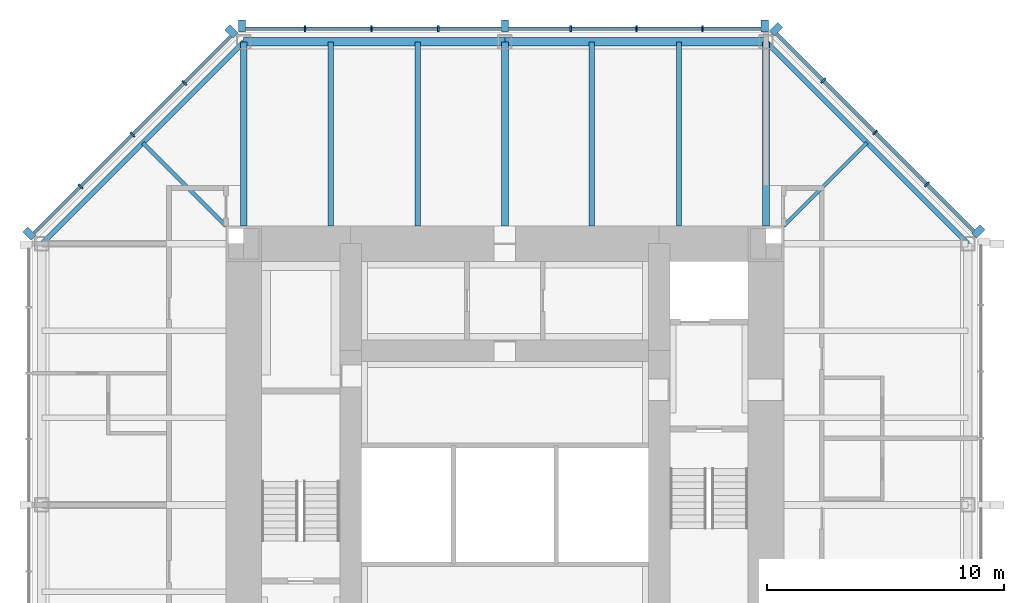
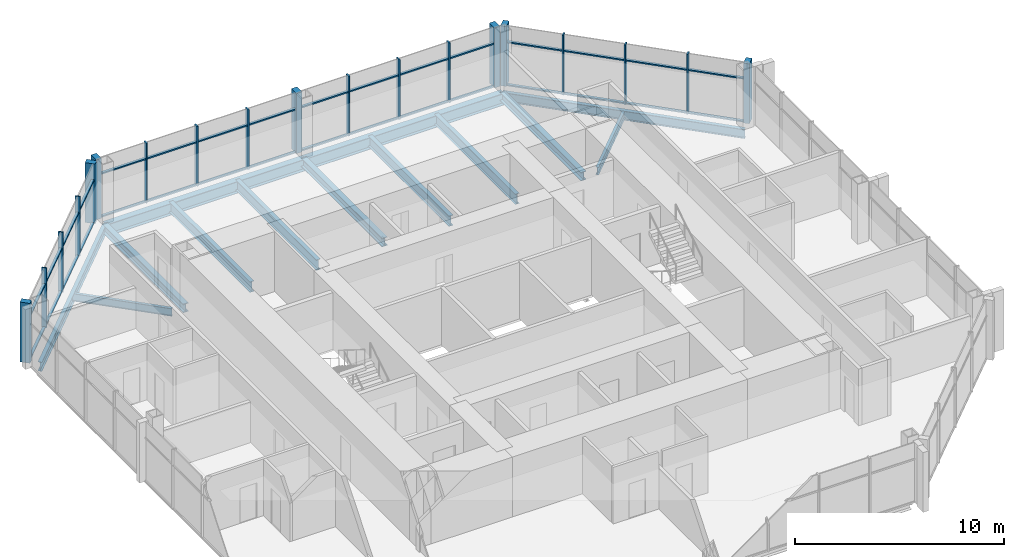
# One storey, part 5 of 11: 51 members, 13 beams, 3 elements without a shape of their own.
"""IFC4 building model written with IfcOpenShell, lengths in metres."""

from ifc_helpers import new_model, si_unit, direction, frame, origin, origin_2d, place, context, subcontext, project, spatial, rectangle, i_section, extrude, material, material_profile, profile_set, type_object, element, aggregate, save


model = new_model("IFC4")

# Units and contexts
model_context = context("Model", 3, precision=1e-05, world=origin(), true_north=direction((0.0, 1.0)))
body_context = subcontext(model_context, "Body", "Model", "MODEL_VIEW")
ifc_project = project(units=[si_unit("LENGTHUNIT", "METRE"), si_unit("AREAUNIT", "SQUARE_METRE"), si_unit("VOLUMEUNIT", "CUBIC_METRE"), si_unit("PLANEANGLEUNIT", "RADIAN"), si_unit("MASSUNIT", "GRAM", prefix="KILO")], contexts=[model_context])

# Site, building, storey
site_placement = place(None, origin())
site = spatial("IfcSite", under=ifc_project, at=site_placement, CompositionType="ELEMENT")
building_placement = place(site_placement, origin())
building = spatial("IfcBuilding", under=site, at=building_placement, Name="Trevanion Tower", CompositionType="ELEMENT")
storey_placement = place(building_placement, frame((0.0, 0.0, 253.699951171875)))
storey = spatial("IfcBuildingStorey", under=building, at=storey_placement, Name="L62", CompositionType="ELEMENT", Elevation=253.699951171875)

# Beams
ifc_material_1 = material(Name="Steel ASTM A992 Grade 50", Category="steel")
ifc_material_profile_1 = material_profile(ifc_material_1, i_section(OverallWidth=0.228271484375, OverallDepth=0.607177734375, WebThickness=0.01123046875, FlangeThickness=0.017333984375, at=origin_2d()), Name="W24X76")
ifc_profile_set_1 = profile_set([ifc_material_profile_1], Name="Steel ASTM A992 Grade 50")
beam_type_1 = type_object("IfcBeamType", Name="B11 W24X76", PredefinedType="BEAM", material=ifc_profile_set_1)
for number, where, z_axis, x_axis, name in (
    (1, (7.333251953125, 11.75, -0.493408203125), (0.0, 1.0, 0.0), (-1.0, 0.0, 0.0), "B11 L62"),
    (2, (3.666748046875, 11.75, -0.493408203125), (0.0, 1.0, 0.0), (-1.0, 0.0, 0.0), "B11 L62"),
    (3, (-3.666748046875, 11.75, -0.493408203125), (0.0, 1.0, 0.0), (-1.0, 0.0, 0.0), "B11 L62"),
    (4, (-7.333251953125, 11.75, -0.493408203125), (0.0, 1.0, 0.0), (-1.0, 0.0, 0.0), "B11 L62"),
):
    element("IfcBeam", number, at=place(storey_placement, frame(where, z_axis=z_axis, x_axis=x_axis)), inside=storey, type_object=beam_type_1, Name=name, PredefinedType="BEAM", context=body_context, shape_type="SweptSolid", body=[
        extrude(i_section(OverallWidth=0.228271484375, OverallDepth=0.607177734375, WebThickness=0.01123046875, FlangeThickness=0.017333984375, at=origin_2d()), origin(), (0.0, 0.0, 1.0), 7.75),
    ])
ifc_material_2 = material(Name="Steel ASTM A992 Grade 50", Category="steel")
ifc_material_profile_2 = material_profile(ifc_material_2, i_section(OverallWidth=0.15234375, OverallDepth=0.449462890625, WebThickness=0.007568359375, FlangeThickness=0.0107421875, at=origin_2d()), Name="W18X35")
ifc_profile_set_2 = profile_set([ifc_material_profile_2], Name="Steel ASTM A992 Grade 50")
beam_type_2 = type_object("IfcBeamType", Name="B12 W18X35", PredefinedType="BEAM", material=ifc_profile_set_2)
for number, where, z_axis, x_axis, name in (
    (5, (11.75, 11.75, -0.414794921875), (0.707106781187, 0.707106781187, 0.0), (-0.707106781187, 0.707106781187, 0.0), "B12 L62"),
    (6, (-11.75, 11.75, -0.414794921875), (-0.707106781187, 0.707106781187, 0.0), (-0.707106781187, -0.707106781187, 0.0), "B12 L62"),
):
    element("IfcBeam", number, at=place(storey_placement, frame(where, z_axis=z_axis, x_axis=x_axis)), inside=storey, type_object=beam_type_2, Name=name, PredefinedType="BEAM", context=body_context, shape_type="SweptSolid", body=[
        extrude(i_section(OverallWidth=0.15234375, OverallDepth=0.449462890625, WebThickness=0.007568359375, FlangeThickness=0.0107421875, at=origin_2d()), origin(), (0.0, 0.0, 1.0), 4.94970703125),
    ])

# Curtain wall, members
ifc_material_3 = material(Name="Aluminium and glass", Category="aluminium")
curtain_wall_type = type_object("IfcCurtainWallType", Name="CW3 curtain wall", PredefinedType="USERDEFINED", material=ifc_material_3)
curtain_wall_1_placement = place(storey_placement, origin())
curtain_wall_1 = element("IfcCurtainWall", 7, at=curtain_wall_1_placement, inside=storey, type_object=curtain_wall_type, Name="CW3 L62 1", ObjectType="UNITISED CURTAIN WALL", PredefinedType="USERDEFINED")
ifc_material_4 = material(Name="Aluminium extrusion, anodised bronze", Category="aluminium")
ifc_material_profile_3 = material_profile(ifc_material_4, rectangle(XDim=0.074951171875, YDim=0.25, at=origin_2d()), Name="CW3 mullion")
ifc_profile_set_3 = profile_set([ifc_material_profile_3], Name="Aluminium extrusion, anodised bronze")
member_type_1 = type_object("IfcMemberType", Name="CW3 mullion", PredefinedType="MULLION", material=ifc_profile_set_3)
member_1_placement = place(storey_placement, frame((17.775390625, 13.502197265625, -0.18994140625), z_axis=(0.0, 0.0, 1.0), x_axis=(-0.707106781187, 0.707106781187, 0.0)))
member_1 = element("IfcMember", 8, at=member_1_placement, type_object=member_type_1, Name="CW3 mullion 2", PredefinedType="MULLION", context=body_context, shape_type="SweptSolid", body=[
    extrude(rectangle(XDim=0.074951171875, YDim=0.25, at=origin_2d()), origin(), (0.0, 0.0, 1.0), 3.5),
])
member_2_placement = place(storey_placement, frame((15.593017578125, 15.684814453125, -0.18994140625), z_axis=(0.0, 0.0, 1.0), x_axis=(-0.707106781187, 0.707106781187, 0.0)))
member_2 = element("IfcMember", 9, at=member_2_placement, type_object=member_type_1, Name="CW3 mullion 3", PredefinedType="MULLION", context=body_context, shape_type="SweptSolid", body=[
    extrude(rectangle(XDim=0.074951171875, YDim=0.25, at=origin_2d()), origin(), (0.0, 0.0, 1.0), 3.5),
])
member_3_placement = place(storey_placement, frame((13.410400390625, 17.867431640625, -0.18994140625), z_axis=(0.0, 0.0, 1.0), x_axis=(-0.707106781187, 0.707106781187, 0.0)))
member_3 = element("IfcMember", 10, at=member_3_placement, type_object=member_type_1, Name="CW3 mullion 4", PredefinedType="MULLION", context=body_context, shape_type="SweptSolid", body=[
    extrude(rectangle(XDim=0.074951171875, YDim=0.25, at=origin_2d()), origin(), (0.0, 0.0, 1.0), 3.5),
])

curtain_wall_2_placement = place(storey_placement, origin())
curtain_wall_2 = element("IfcCurtainWall", 11, at=curtain_wall_2_placement, inside=storey, type_object=curtain_wall_type, Name="CW3 L62 2", ObjectType="UNITISED CURTAIN WALL", PredefinedType="USERDEFINED")
member_4_placement = place(storey_placement, frame((8.323486328125, 20.050048828125, -0.18994140625), z_axis=(0.0, 0.0, 1.0), x_axis=(-1.0, 0.0, 0.0)))
member_4 = element("IfcMember", 12, at=member_4_placement, type_object=member_type_1, Name="CW3 mullion 2", PredefinedType="MULLION", context=body_context, shape_type="SweptSolid", body=[
    extrude(rectangle(XDim=0.074951171875, YDim=0.25, at=origin_2d()), origin(), (0.0, 0.0, 1.0), 3.5),
])
member_5_placement = place(storey_placement, frame((5.548828125, 20.050048828125, -0.18994140625), z_axis=(0.0, 0.0, 1.0), x_axis=(-1.0, 0.0, 0.0)))
member_5 = element("IfcMember", 13, at=member_5_placement, type_object=member_type_1, Name="CW3 mullion 3", PredefinedType="MULLION", context=body_context, shape_type="SweptSolid", body=[
    extrude(rectangle(XDim=0.074951171875, YDim=0.25, at=origin_2d()), origin(), (0.0, 0.0, 1.0), 3.5),
])
member_6_placement = place(storey_placement, frame((2.7744140625, 20.050048828125, -0.18994140625), z_axis=(0.0, 0.0, 1.0), x_axis=(-1.0, 0.0, 0.0)))
member_6 = element("IfcMember", 14, at=member_6_placement, type_object=member_type_1, Name="CW3 mullion 4", PredefinedType="MULLION", context=body_context, shape_type="SweptSolid", body=[
    extrude(rectangle(XDim=0.074951171875, YDim=0.25, at=origin_2d()), origin(), (0.0, 0.0, 1.0), 3.5),
])
member_7_placement = place(storey_placement, frame((-2.806884765625, 20.050048828125, -0.18994140625), z_axis=(0.0, 0.0, 1.0), x_axis=(-1.0, 0.0, 0.0)))
member_7 = element("IfcMember", 15, at=member_7_placement, type_object=member_type_1, Name="CW3 mullion 6", PredefinedType="MULLION", context=body_context, shape_type="SweptSolid", body=[
    extrude(rectangle(XDim=0.074951171875, YDim=0.25, at=origin_2d()), origin(), (0.0, 0.0, 1.0), 3.5),
])
member_8_placement = place(storey_placement, frame((-5.614013671875, 20.050048828125, -0.18994140625), z_axis=(0.0, 0.0, 1.0), x_axis=(-1.0, 0.0, 0.0)))
member_8 = element("IfcMember", 16, at=member_8_placement, type_object=member_type_1, Name="CW3 mullion 7", PredefinedType="MULLION", context=body_context, shape_type="SweptSolid", body=[
    extrude(rectangle(XDim=0.074951171875, YDim=0.25, at=origin_2d()), origin(), (0.0, 0.0, 1.0), 3.5),
])
member_9_placement = place(storey_placement, frame((-8.4208984375, 20.050048828125, -0.18994140625), z_axis=(0.0, 0.0, 1.0), x_axis=(-1.0, 0.0, 0.0)))
member_9 = element("IfcMember", 17, at=member_9_placement, type_object=member_type_1, Name="CW3 mullion 8", PredefinedType="MULLION", context=body_context, shape_type="SweptSolid", body=[
    extrude(rectangle(XDim=0.074951171875, YDim=0.25, at=origin_2d()), origin(), (0.0, 0.0, 1.0), 3.5),
])

curtain_wall_3_placement = place(storey_placement, origin())
curtain_wall_3 = element("IfcCurtainWall", 18, at=curtain_wall_3_placement, inside=storey, type_object=curtain_wall_type, Name="CW3 L62 3", ObjectType="UNITISED CURTAIN WALL", PredefinedType="USERDEFINED")
member_10_placement = place(storey_placement, frame((-13.502197265625, 17.775390625, -0.18994140625), z_axis=(0.0, 0.0, 1.0), x_axis=(-0.707106781187, -0.707106781187, 0.0)))
member_10 = element("IfcMember", 19, at=member_10_placement, type_object=member_type_1, Name="CW3 mullion 2", PredefinedType="MULLION", context=body_context, shape_type="SweptSolid", body=[
    extrude(rectangle(XDim=0.074951171875, YDim=0.25, at=origin_2d()), origin(), (0.0, 0.0, 1.0), 3.5),
])
member_11_placement = place(storey_placement, frame((-15.684814453125, 15.593017578125, -0.18994140625), z_axis=(0.0, 0.0, 1.0), x_axis=(-0.707106781187, -0.707106781187, 0.0)))
member_11 = element("IfcMember", 20, at=member_11_placement, type_object=member_type_1, Name="CW3 mullion 3", PredefinedType="MULLION", context=body_context, shape_type="SweptSolid", body=[
    extrude(rectangle(XDim=0.074951171875, YDim=0.25, at=origin_2d()), origin(), (0.0, 0.0, 1.0), 3.5),
])
member_12_placement = place(storey_placement, frame((-17.867431640625, 13.410400390625, -0.18994140625), z_axis=(0.0, 0.0, 1.0), x_axis=(-0.707106781187, -0.707106781187, 0.0)))
member_12 = element("IfcMember", 21, at=member_12_placement, type_object=member_type_1, Name="CW3 mullion 4", PredefinedType="MULLION", context=body_context, shape_type="SweptSolid", body=[
    extrude(rectangle(XDim=0.074951171875, YDim=0.25, at=origin_2d()), origin(), (0.0, 0.0, 1.0), 3.5),
])

# Member
ifc_material_5 = material(Name="Aluminium extrusion, anodised bronze", Category="aluminium")
ifc_material_profile_4 = material_profile(ifc_material_5, rectangle(XDim=0.300048828125, YDim=0.5, at=origin_2d()), Name="CW3 pier mullion")
ifc_profile_set_4 = profile_set([ifc_material_profile_4], Name="Aluminium extrusion, anodised bronze")
member_type_2 = type_object("IfcMemberType", Name="CW3 pier mullion", PredefinedType="MULLION", material=ifc_profile_set_4)
member_13_placement = place(storey_placement, frame((19.9404296875, 11.51416015625, -0.18994140625), z_axis=(0.0, 0.0, 1.0), x_axis=(-0.707106781187, 0.707106781187, 0.0)))
member_13 = element("IfcMember", 22, at=member_13_placement, type_object=member_type_2, Name="CW3 pier mullion 1", PredefinedType="MULLION", context=body_context, shape_type="SweptSolid", body=[
    extrude(rectangle(XDim=0.300048828125, YDim=0.5, at=origin_2d()), origin(), (0.0, 0.0, 1.0), 3.5),
])

member_14_placement = place(storey_placement, frame((11.42236328125, 20.0322265625, -0.18994140625), z_axis=(0.0, 0.0, 1.0), x_axis=(-0.707106781187, 0.707106781187, 0.0)))
member_14 = element("IfcMember", 23, at=member_14_placement, type_object=member_type_2, Name="CW3 pier mullion 5", PredefinedType="MULLION", context=body_context, shape_type="SweptSolid", body=[
    extrude(rectangle(XDim=0.300048828125, YDim=0.5, at=origin_2d()), origin(), (0.0, 0.0, 1.0), 3.5),
])

member_15_placement = place(storey_placement, frame((10.94775390625, 20.175048828125, -0.18994140625), z_axis=(0.0, 0.0, 1.0), x_axis=(-1.0, 0.0, 0.0)))
member_15 = element("IfcMember", 24, at=member_15_placement, type_object=member_type_2, Name="CW3 pier mullion 1", PredefinedType="MULLION", context=body_context, shape_type="SweptSolid", body=[
    extrude(rectangle(XDim=0.300048828125, YDim=0.5, at=origin_2d()), origin(), (0.0, 0.0, 1.0), 3.5),
])

member_16_placement = place(storey_placement, frame((0.0, 20.175048828125, -0.18994140625), z_axis=(0.0, 0.0, 1.0), x_axis=(-1.0, 0.0, 0.0)))
member_16 = element("IfcMember", 25, at=member_16_placement, type_object=member_type_2, Name="CW3 pier mullion 5", PredefinedType="MULLION", context=body_context, shape_type="SweptSolid", body=[
    extrude(rectangle(XDim=0.300048828125, YDim=0.5, at=origin_2d()), origin(), (0.0, 0.0, 1.0), 3.5),
])

member_17_placement = place(storey_placement, frame((-11.077880859375, 20.175048828125, -0.18994140625), z_axis=(0.0, 0.0, 1.0), x_axis=(-1.0, 0.0, 0.0)))
member_17 = element("IfcMember", 26, at=member_17_placement, type_object=member_type_2, Name="CW3 pier mullion 9", PredefinedType="MULLION", context=body_context, shape_type="SweptSolid", body=[
    extrude(rectangle(XDim=0.300048828125, YDim=0.5, at=origin_2d()), origin(), (0.0, 0.0, 1.0), 3.5),
])

member_18_placement = place(storey_placement, frame((-11.51416015625, 19.9404296875, -0.18994140625), z_axis=(0.0, 0.0, 1.0), x_axis=(-0.707106781187, -0.707106781187, 0.0)))
member_18 = element("IfcMember", 27, at=member_18_placement, type_object=member_type_2, Name="CW3 pier mullion 1", PredefinedType="MULLION", context=body_context, shape_type="SweptSolid", body=[
    extrude(rectangle(XDim=0.300048828125, YDim=0.5, at=origin_2d()), origin(), (0.0, 0.0, 1.0), 3.5),
])

member_19_placement = place(storey_placement, frame((-20.0322265625, 11.42236328125, -0.18994140625), z_axis=(0.0, 0.0, 1.0), x_axis=(-0.707106781187, -0.707106781187, 0.0)))
member_19 = element("IfcMember", 28, at=member_19_placement, type_object=member_type_2, Name="CW3 pier mullion 5", PredefinedType="MULLION", context=body_context, shape_type="SweptSolid", body=[
    extrude(rectangle(XDim=0.300048828125, YDim=0.5, at=origin_2d()), origin(), (0.0, 0.0, 1.0), 3.5),
])

ifc_material_6 = material(Name="Aluminium extrusion, anodised bronze", Category="aluminium")
ifc_material_profile_5 = material_profile(ifc_material_6, rectangle(XDim=0.14990234375, YDim=0.074951171875, at=origin_2d()), Name="CW3 transom")
ifc_profile_set_5 = profile_set([ifc_material_profile_5], Name="Aluminium extrusion, anodised bronze")
member_type_3 = type_object("IfcMemberType", Name="CW3 transom", PredefinedType="USERDEFINED", material=ifc_profile_set_5)
member_20_placement = place(storey_placement, frame((19.745849609375, 11.531982421875, -0.15234375), z_axis=(-0.707106781187, 0.707106781187, 0.0), x_axis=(-0.707106781187, -0.707106781187, 0.0)))
member_20 = element("IfcMember", 29, at=member_20_placement, type_object=member_type_3, Name="CW3 transom 1.1", ObjectType="TRANSOM", PredefinedType="USERDEFINED", context=body_context, shape_type="SweptSolid", body=[
    extrude(rectangle(XDim=0.14990234375, YDim=0.074951171875, at=origin_2d()), origin(), (0.0, 0.0, 1.0), 2.7490234375),
])

member_21_placement = place(storey_placement, frame((19.745849609375, 11.531982421875, 2.360107421875), z_axis=(-0.707106781187, 0.707106781187, 0.0), x_axis=(-0.707106781187, -0.707106781187, 0.0)))
member_21 = element("IfcMember", 30, at=member_21_placement, type_object=member_type_3, Name="CW3 transom 1.2", ObjectType="TRANSOM", PredefinedType="USERDEFINED", context=body_context, shape_type="SweptSolid", body=[
    extrude(rectangle(XDim=0.14990234375, YDim=0.074951171875, at=origin_2d()), origin(), (0.0, 0.0, 1.0), 2.7490234375),
])

member_22_placement = place(storey_placement, frame((17.7490234375, 13.52880859375, -0.15234375), z_axis=(-0.707106781187, 0.707106781187, 0.0), x_axis=(-0.707106781187, -0.707106781187, 0.0)))
member_22 = element("IfcMember", 31, at=member_22_placement, type_object=member_type_3, Name="CW3 transom 2.1", ObjectType="TRANSOM", PredefinedType="USERDEFINED", context=body_context, shape_type="SweptSolid", body=[
    extrude(rectangle(XDim=0.14990234375, YDim=0.074951171875, at=origin_2d()), origin(), (0.0, 0.0, 1.0), 3.01171875),
])

member_23_placement = place(storey_placement, frame((17.7490234375, 13.52880859375, 2.360107421875), z_axis=(-0.707106781187, 0.707106781187, 0.0), x_axis=(-0.707106781187, -0.707106781187, 0.0)))
member_23 = element("IfcMember", 32, at=member_23_placement, type_object=member_type_3, Name="CW3 transom 2.2", ObjectType="TRANSOM", PredefinedType="USERDEFINED", context=body_context, shape_type="SweptSolid", body=[
    extrude(rectangle(XDim=0.14990234375, YDim=0.074951171875, at=origin_2d()), origin(), (0.0, 0.0, 1.0), 3.01171875),
])

member_24_placement = place(storey_placement, frame((15.56640625, 15.71142578125, -0.15234375), z_axis=(-0.707106781187, 0.707106781187, 0.0), x_axis=(-0.707106781187, -0.707106781187, 0.0)))
member_24 = element("IfcMember", 33, at=member_24_placement, type_object=member_type_3, Name="CW3 transom 3.1", ObjectType="TRANSOM", PredefinedType="USERDEFINED", context=body_context, shape_type="SweptSolid", body=[
    extrude(rectangle(XDim=0.14990234375, YDim=0.074951171875, at=origin_2d()), origin(), (0.0, 0.0, 1.0), 3.011474609375),
])

member_25_placement = place(storey_placement, frame((15.56640625, 15.71142578125, 2.360107421875), z_axis=(-0.707106781187, 0.707106781187, 0.0), x_axis=(-0.707106781187, -0.707106781187, 0.0)))
member_25 = element("IfcMember", 34, at=member_25_placement, type_object=member_type_3, Name="CW3 transom 3.2", ObjectType="TRANSOM", PredefinedType="USERDEFINED", context=body_context, shape_type="SweptSolid", body=[
    extrude(rectangle(XDim=0.14990234375, YDim=0.074951171875, at=origin_2d()), origin(), (0.0, 0.0, 1.0), 3.011474609375),
])

member_26_placement = place(storey_placement, frame((13.3837890625, 17.89404296875, -0.15234375), z_axis=(-0.707106781187, 0.707106781187, 0.0), x_axis=(-0.707106781187, -0.707106781187, 0.0)))
member_26 = element("IfcMember", 35, at=member_26_placement, type_object=member_type_3, Name="CW3 transom 4.1", ObjectType="TRANSOM", PredefinedType="USERDEFINED", context=body_context, shape_type="SweptSolid", body=[
    extrude(rectangle(XDim=0.14990234375, YDim=0.074951171875, at=origin_2d()), origin(), (0.0, 0.0, 1.0), 2.7490234375),
])

member_27_placement = place(storey_placement, frame((13.3837890625, 17.89404296875, 2.360107421875), z_axis=(-0.707106781187, 0.707106781187, 0.0), x_axis=(-0.707106781187, -0.707106781187, 0.0)))
member_27 = element("IfcMember", 36, at=member_27_placement, type_object=member_type_3, Name="CW3 transom 4.2", ObjectType="TRANSOM", PredefinedType="USERDEFINED", context=body_context, shape_type="SweptSolid", body=[
    extrude(rectangle(XDim=0.14990234375, YDim=0.074951171875, at=origin_2d()), origin(), (0.0, 0.0, 1.0), 2.7490234375),
])

aggregate(curtain_wall_1, [member_13, member_1, member_2, member_3, member_14, member_20, member_21, member_22, member_23, member_24, member_25, member_26, member_27])

member_28_placement = place(storey_placement, frame((10.7978515625, 20.050048828125, -0.15234375), z_axis=(-1.0, 0.0, 0.0), x_axis=(0.0, -1.0, 0.0)))
member_28 = element("IfcMember", 37, at=member_28_placement, type_object=member_type_3, Name="CW3 transom 1.1", ObjectType="TRANSOM", PredefinedType="USERDEFINED", context=body_context, shape_type="SweptSolid", body=[
    extrude(rectangle(XDim=0.14990234375, YDim=0.074951171875, at=origin_2d()), origin(), (0.0, 0.0, 1.0), 2.43701171875),
])

member_29_placement = place(storey_placement, frame((10.7978515625, 20.050048828125, 2.360107421875), z_axis=(-1.0, 0.0, 0.0), x_axis=(0.0, -1.0, 0.0)))
member_29 = element("IfcMember", 38, at=member_29_placement, type_object=member_type_3, Name="CW3 transom 1.2", ObjectType="TRANSOM", PredefinedType="USERDEFINED", context=body_context, shape_type="SweptSolid", body=[
    extrude(rectangle(XDim=0.14990234375, YDim=0.074951171875, at=origin_2d()), origin(), (0.0, 0.0, 1.0), 2.43701171875),
])

member_30_placement = place(storey_placement, frame((8.285888671875, 20.050048828125, -0.15234375), z_axis=(-1.0, 0.0, 0.0), x_axis=(0.0, -1.0, 0.0)))
member_30 = element("IfcMember", 39, at=member_30_placement, type_object=member_type_3, Name="CW3 transom 2.1", ObjectType="TRANSOM", PredefinedType="USERDEFINED", context=body_context, shape_type="SweptSolid", body=[
    extrude(rectangle(XDim=0.14990234375, YDim=0.074951171875, at=origin_2d()), origin(), (0.0, 0.0, 1.0), 2.699462890625),
])

member_31_placement = place(storey_placement, frame((8.285888671875, 20.050048828125, 2.360107421875), z_axis=(-1.0, 0.0, 0.0), x_axis=(0.0, -1.0, 0.0)))
member_31 = element("IfcMember", 40, at=member_31_placement, type_object=member_type_3, Name="CW3 transom 2.2", ObjectType="TRANSOM", PredefinedType="USERDEFINED", context=body_context, shape_type="SweptSolid", body=[
    extrude(rectangle(XDim=0.14990234375, YDim=0.074951171875, at=origin_2d()), origin(), (0.0, 0.0, 1.0), 2.699462890625),
])

member_32_placement = place(storey_placement, frame((5.511474609375, 20.050048828125, -0.15234375), z_axis=(-1.0, 0.0, 0.0), x_axis=(0.0, -1.0, 0.0)))
member_32 = element("IfcMember", 41, at=member_32_placement, type_object=member_type_3, Name="CW3 transom 3.1", ObjectType="TRANSOM", PredefinedType="USERDEFINED", context=body_context, shape_type="SweptSolid", body=[
    extrude(rectangle(XDim=0.14990234375, YDim=0.074951171875, at=origin_2d()), origin(), (0.0, 0.0, 1.0), 2.699462890625),
])

member_33_placement = place(storey_placement, frame((5.511474609375, 20.050048828125, 2.360107421875), z_axis=(-1.0, 0.0, 0.0), x_axis=(0.0, -1.0, 0.0)))
member_33 = element("IfcMember", 42, at=member_33_placement, type_object=member_type_3, Name="CW3 transom 3.2", ObjectType="TRANSOM", PredefinedType="USERDEFINED", context=body_context, shape_type="SweptSolid", body=[
    extrude(rectangle(XDim=0.14990234375, YDim=0.074951171875, at=origin_2d()), origin(), (0.0, 0.0, 1.0), 2.699462890625),
])

member_34_placement = place(storey_placement, frame((2.737060546875, 20.050048828125, -0.15234375), z_axis=(-1.0, 0.0, 0.0), x_axis=(0.0, -1.0, 0.0)))
member_34 = element("IfcMember", 43, at=member_34_placement, type_object=member_type_3, Name="CW3 transom 4.1", ObjectType="TRANSOM", PredefinedType="USERDEFINED", context=body_context, shape_type="SweptSolid", body=[
    extrude(rectangle(XDim=0.14990234375, YDim=0.074951171875, at=origin_2d()), origin(), (0.0, 0.0, 1.0), 2.587158203125),
])

member_35_placement = place(storey_placement, frame((2.737060546875, 20.050048828125, 2.360107421875), z_axis=(-1.0, 0.0, 0.0), x_axis=(0.0, -1.0, 0.0)))
member_35 = element("IfcMember", 44, at=member_35_placement, type_object=member_type_3, Name="CW3 transom 4.2", ObjectType="TRANSOM", PredefinedType="USERDEFINED", context=body_context, shape_type="SweptSolid", body=[
    extrude(rectangle(XDim=0.14990234375, YDim=0.074951171875, at=origin_2d()), origin(), (0.0, 0.0, 1.0), 2.587158203125),
])

member_36_placement = place(storey_placement, frame((-0.14990234375, 20.050048828125, -0.15234375), z_axis=(-1.0, 0.0, 0.0), x_axis=(0.0, -1.0, 0.0)))
member_36 = element("IfcMember", 45, at=member_36_placement, type_object=member_type_3, Name="CW3 transom 5.1", ObjectType="TRANSOM", PredefinedType="USERDEFINED", context=body_context, shape_type="SweptSolid", body=[
    extrude(rectangle(XDim=0.14990234375, YDim=0.074951171875, at=origin_2d()), origin(), (0.0, 0.0, 1.0), 2.619384765625),
])

member_37_placement = place(storey_placement, frame((-0.14990234375, 20.050048828125, 2.360107421875), z_axis=(-1.0, 0.0, 0.0), x_axis=(0.0, -1.0, 0.0)))
member_37 = element("IfcMember", 46, at=member_37_placement, type_object=member_type_3, Name="CW3 transom 5.2", ObjectType="TRANSOM", PredefinedType="USERDEFINED", context=body_context, shape_type="SweptSolid", body=[
    extrude(rectangle(XDim=0.14990234375, YDim=0.074951171875, at=origin_2d()), origin(), (0.0, 0.0, 1.0), 2.619384765625),
])

member_38_placement = place(storey_placement, frame((-2.844482421875, 20.050048828125, -0.15234375), z_axis=(-1.0, 0.0, 0.0), x_axis=(0.0, -1.0, 0.0)))
member_38 = element("IfcMember", 47, at=member_38_placement, type_object=member_type_3, Name="CW3 transom 6.1", ObjectType="TRANSOM", PredefinedType="USERDEFINED", context=body_context, shape_type="SweptSolid", body=[
    extrude(rectangle(XDim=0.14990234375, YDim=0.074951171875, at=origin_2d()), origin(), (0.0, 0.0, 1.0), 2.73193359375),
])

member_39_placement = place(storey_placement, frame((-2.844482421875, 20.050048828125, 2.360107421875), z_axis=(-1.0, 0.0, 0.0), x_axis=(0.0, -1.0, 0.0)))
member_39 = element("IfcMember", 48, at=member_39_placement, type_object=member_type_3, Name="CW3 transom 6.2", ObjectType="TRANSOM", PredefinedType="USERDEFINED", context=body_context, shape_type="SweptSolid", body=[
    extrude(rectangle(XDim=0.14990234375, YDim=0.074951171875, at=origin_2d()), origin(), (0.0, 0.0, 1.0), 2.73193359375),
])

member_40_placement = place(storey_placement, frame((-5.6513671875, 20.050048828125, -0.15234375), z_axis=(-1.0, 0.0, 0.0), x_axis=(0.0, -1.0, 0.0)))
member_40 = element("IfcMember", 49, at=member_40_placement, type_object=member_type_3, Name="CW3 transom 7.1", ObjectType="TRANSOM", PredefinedType="USERDEFINED", context=body_context, shape_type="SweptSolid", body=[
    extrude(rectangle(XDim=0.14990234375, YDim=0.074951171875, at=origin_2d()), origin(), (0.0, 0.0, 1.0), 2.73193359375),
])

member_41_placement = place(storey_placement, frame((-5.6513671875, 20.050048828125, 2.360107421875), z_axis=(-1.0, 0.0, 0.0), x_axis=(0.0, -1.0, 0.0)))
member_41 = element("IfcMember", 50, at=member_41_placement, type_object=member_type_3, Name="CW3 transom 7.2", ObjectType="TRANSOM", PredefinedType="USERDEFINED", context=body_context, shape_type="SweptSolid", body=[
    extrude(rectangle(XDim=0.14990234375, YDim=0.074951171875, at=origin_2d()), origin(), (0.0, 0.0, 1.0), 2.73193359375),
])

member_42_placement = place(storey_placement, frame((-8.45849609375, 20.050048828125, -0.15234375), z_axis=(-1.0, 0.0, 0.0), x_axis=(0.0, -1.0, 0.0)))
member_42 = element("IfcMember", 51, at=member_42_placement, type_object=member_type_3, Name="CW3 transom 8.1", ObjectType="TRANSOM", PredefinedType="USERDEFINED", context=body_context, shape_type="SweptSolid", body=[
    extrude(rectangle(XDim=0.14990234375, YDim=0.074951171875, at=origin_2d()), origin(), (0.0, 0.0, 1.0), 2.46923828125),
])

member_43_placement = place(storey_placement, frame((-8.45849609375, 20.050048828125, 2.360107421875), z_axis=(-1.0, 0.0, 0.0), x_axis=(0.0, -1.0, 0.0)))
member_43 = element("IfcMember", 52, at=member_43_placement, type_object=member_type_3, Name="CW3 transom 8.2", ObjectType="TRANSOM", PredefinedType="USERDEFINED", context=body_context, shape_type="SweptSolid", body=[
    extrude(rectangle(XDim=0.14990234375, YDim=0.074951171875, at=origin_2d()), origin(), (0.0, 0.0, 1.0), 2.46923828125),
])

aggregate(curtain_wall_2, [member_15, member_4, member_5, member_6, member_16, member_7, member_8, member_9, member_17, member_28, member_29, member_30, member_31, member_32, member_33, member_34, member_35, member_36, member_37, member_38, member_39, member_40, member_41, member_42, member_43])

member_44_placement = place(storey_placement, frame((-11.531982421875, 19.745849609375, -0.15234375), z_axis=(-0.707106781187, -0.707106781187, 0.0), x_axis=(0.707106781187, -0.707106781187, 0.0)))
member_44 = element("IfcMember", 53, at=member_44_placement, type_object=member_type_3, Name="CW3 transom 1.1", ObjectType="TRANSOM", PredefinedType="USERDEFINED", context=body_context, shape_type="SweptSolid", body=[
    extrude(rectangle(XDim=0.14990234375, YDim=0.074951171875, at=origin_2d()), origin(), (0.0, 0.0, 1.0), 2.7490234375),
])

member_45_placement = place(storey_placement, frame((-11.531982421875, 19.745849609375, 2.360107421875), z_axis=(-0.707106781187, -0.707106781187, 0.0), x_axis=(0.707106781187, -0.707106781187, 0.0)))
member_45 = element("IfcMember", 54, at=member_45_placement, type_object=member_type_3, Name="CW3 transom 1.2", ObjectType="TRANSOM", PredefinedType="USERDEFINED", context=body_context, shape_type="SweptSolid", body=[
    extrude(rectangle(XDim=0.14990234375, YDim=0.074951171875, at=origin_2d()), origin(), (0.0, 0.0, 1.0), 2.7490234375),
])

member_46_placement = place(storey_placement, frame((-13.52880859375, 17.7490234375, -0.15234375), z_axis=(-0.707106781187, -0.707106781187, 0.0), x_axis=(0.707106781187, -0.707106781187, 0.0)))
member_46 = element("IfcMember", 55, at=member_46_placement, type_object=member_type_3, Name="CW3 transom 2.1", ObjectType="TRANSOM", PredefinedType="USERDEFINED", context=body_context, shape_type="SweptSolid", body=[
    extrude(rectangle(XDim=0.14990234375, YDim=0.074951171875, at=origin_2d()), origin(), (0.0, 0.0, 1.0), 3.01171875),
])

member_47_placement = place(storey_placement, frame((-13.52880859375, 17.7490234375, 2.360107421875), z_axis=(-0.707106781187, -0.707106781187, 0.0), x_axis=(0.707106781187, -0.707106781187, 0.0)))
member_47 = element("IfcMember", 56, at=member_47_placement, type_object=member_type_3, Name="CW3 transom 2.2", ObjectType="TRANSOM", PredefinedType="USERDEFINED", context=body_context, shape_type="SweptSolid", body=[
    extrude(rectangle(XDim=0.14990234375, YDim=0.074951171875, at=origin_2d()), origin(), (0.0, 0.0, 1.0), 3.01171875),
])

member_48_placement = place(storey_placement, frame((-15.71142578125, 15.56640625, -0.15234375), z_axis=(-0.707106781187, -0.707106781187, 0.0), x_axis=(0.707106781187, -0.707106781187, 0.0)))
member_48 = element("IfcMember", 57, at=member_48_placement, type_object=member_type_3, Name="CW3 transom 3.1", ObjectType="TRANSOM", PredefinedType="USERDEFINED", context=body_context, shape_type="SweptSolid", body=[
    extrude(rectangle(XDim=0.14990234375, YDim=0.074951171875, at=origin_2d()), origin(), (0.0, 0.0, 1.0), 3.011474609375),
])

member_49_placement = place(storey_placement, frame((-15.71142578125, 15.56640625, 2.360107421875), z_axis=(-0.707106781187, -0.707106781187, 0.0), x_axis=(0.707106781187, -0.707106781187, 0.0)))
member_49 = element("IfcMember", 58, at=member_49_placement, type_object=member_type_3, Name="CW3 transom 3.2", ObjectType="TRANSOM", PredefinedType="USERDEFINED", context=body_context, shape_type="SweptSolid", body=[
    extrude(rectangle(XDim=0.14990234375, YDim=0.074951171875, at=origin_2d()), origin(), (0.0, 0.0, 1.0), 3.011474609375),
])

member_50_placement = place(storey_placement, frame((-17.89404296875, 13.3837890625, -0.15234375), z_axis=(-0.707106781187, -0.707106781187, 0.0), x_axis=(0.707106781187, -0.707106781187, 0.0)))
member_50 = element("IfcMember", 59, at=member_50_placement, type_object=member_type_3, Name="CW3 transom 4.1", ObjectType="TRANSOM", PredefinedType="USERDEFINED", context=body_context, shape_type="SweptSolid", body=[
    extrude(rectangle(XDim=0.14990234375, YDim=0.074951171875, at=origin_2d()), origin(), (0.0, 0.0, 1.0), 2.7490234375),
])

member_51_placement = place(storey_placement, frame((-17.89404296875, 13.3837890625, 2.360107421875), z_axis=(-0.707106781187, -0.707106781187, 0.0), x_axis=(0.707106781187, -0.707106781187, 0.0)))
member_51 = element("IfcMember", 60, at=member_51_placement, type_object=member_type_3, Name="CW3 transom 4.2", ObjectType="TRANSOM", PredefinedType="USERDEFINED", context=body_context, shape_type="SweptSolid", body=[
    extrude(rectangle(XDim=0.14990234375, YDim=0.074951171875, at=origin_2d()), origin(), (0.0, 0.0, 1.0), 2.7490234375),
])

aggregate(curtain_wall_3, [member_18, member_10, member_11, member_12, member_19, member_44, member_45, member_46, member_47, member_48, member_49, member_50, member_51])

# Beams
ifc_material_7 = material(Name="Steel ASTM A992 Grade 50", Category="steel")
ifc_material_profile_6 = material_profile(ifc_material_7, i_section(OverallWidth=0.28955078125, OverallDepth=0.508056640625, WebThickness=0.022705078125, FlangeThickness=0.040283203125, at=origin_2d()), Name="W18X175")
ifc_profile_set_6 = profile_set([ifc_material_profile_6], Name="Steel ASTM A992 Grade 50")
beam_type_3 = type_object("IfcBeamType", Name="G6 W18X175", PredefinedType="BEAM", material=ifc_profile_set_6)
for number, where, z_axis, x_axis, name in (
    (61, (11.0, 11.75, -0.44384765625), (0.0, 1.0, 0.0), (-1.0, 0.0, 0.0), "G6 L62"),
    (62, (0.0, 11.75, -0.44384765625), (0.0, 1.0, 0.0), (-1.0, 0.0, 0.0), "G6 L62"),
    (63, (-11.0, 11.75, -0.44384765625), (0.0, 1.0, 0.0), (-1.0, 0.0, 0.0), "G6 L62"),
):
    element("IfcBeam", number, at=place(storey_placement, frame(where, z_axis=z_axis, x_axis=x_axis)), inside=storey, type_object=beam_type_3, Name=name, PredefinedType="BEAM", context=body_context, shape_type="SweptSolid", body=[
        extrude(i_section(OverallWidth=0.28955078125, OverallDepth=0.508056640625, WebThickness=0.022705078125, FlangeThickness=0.040283203125, at=origin_2d()), origin(), (0.0, 0.0, 1.0), 7.75),
    ])
ifc_material_8 = material(Name="Steel ASTM A992 Grade 50", Category="steel")
ifc_material_profile_7 = material_profile(ifc_material_8, i_section(OverallWidth=0.355712890625, OverallDepth=0.696044921875, WebThickness=0.015380859375, FlangeThickness=0.024658203125, at=origin_2d()), Name="W27X146")
ifc_profile_set_7 = profile_set([ifc_material_profile_7], Name="Steel ASTM A992 Grade 50")
beam_type_4 = type_object("IfcBeamType", Name="SB8 W27X146", PredefinedType="SPANDREL", material=ifc_profile_set_7)
for number, where, z_axis, x_axis, name in (
    (64, (11.0, 19.5, -0.537841796875), (-1.0, 0.0, 0.0), (0.0, -1.0, 0.0), "SB8 L62"),
    (65, (0.0, 19.5, -0.537841796875), (-1.0, 0.0, 0.0), (0.0, -1.0, 0.0), "SB8 L62"),
):
    element("IfcBeam", number, at=place(storey_placement, frame(where, z_axis=z_axis, x_axis=x_axis)), inside=storey, type_object=beam_type_4, Name=name, PredefinedType="SPANDREL", context=body_context, shape_type="SweptSolid", body=[
        extrude(i_section(OverallWidth=0.355712890625, OverallDepth=0.696044921875, WebThickness=0.015380859375, FlangeThickness=0.024658203125, at=origin_2d()), origin(), (0.0, 0.0, 1.0), 11.0),
    ])
ifc_material_9 = material(Name="Steel ASTM A992 Grade 50", Category="steel")
ifc_material_profile_8 = material_profile(ifc_material_9, i_section(OverallWidth=0.209228515625, OverallDepth=0.533447265625, WebThickness=0.01025390625, FlangeThickness=0.015625, at=origin_2d()), Name="W21X62")
ifc_profile_set_8 = profile_set([ifc_material_profile_8], Name="Steel ASTM A992 Grade 50")
beam_type_5 = type_object("IfcBeamType", Name="SB9 W21X62", PredefinedType="SPANDREL", material=ifc_profile_set_8)
for number, where, z_axis, x_axis, name in (
    (66, (19.5, 11.0, -0.45654296875), (-0.707106781187, 0.707106781187, 0.0), (-0.707106781187, -0.707106781187, 0.0), "SB9 L62"),
    (67, (-11.0, 19.5, -0.45654296875), (-0.707106781187, -0.707106781187, 0.0), (0.707106781187, -0.707106781187, 0.0), "SB9 L62"),
):
    element("IfcBeam", number, at=place(storey_placement, frame(where, z_axis=z_axis, x_axis=x_axis)), inside=storey, type_object=beam_type_5, Name=name, PredefinedType="SPANDREL", context=body_context, shape_type="SweptSolid", body=[
        extrude(i_section(OverallWidth=0.209228515625, OverallDepth=0.533447265625, WebThickness=0.01025390625, FlangeThickness=0.015625, at=origin_2d()), origin(), (0.0, 0.0, 1.0), 12.020751953125),
    ])

save(model, "model.ifc")
